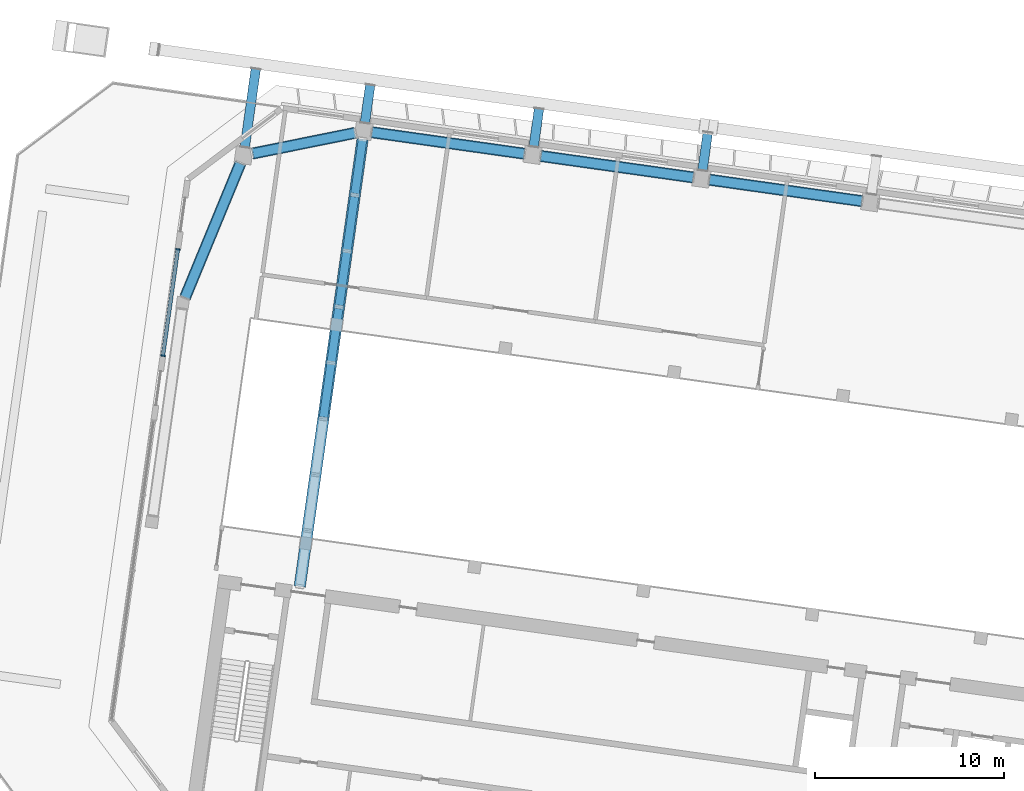
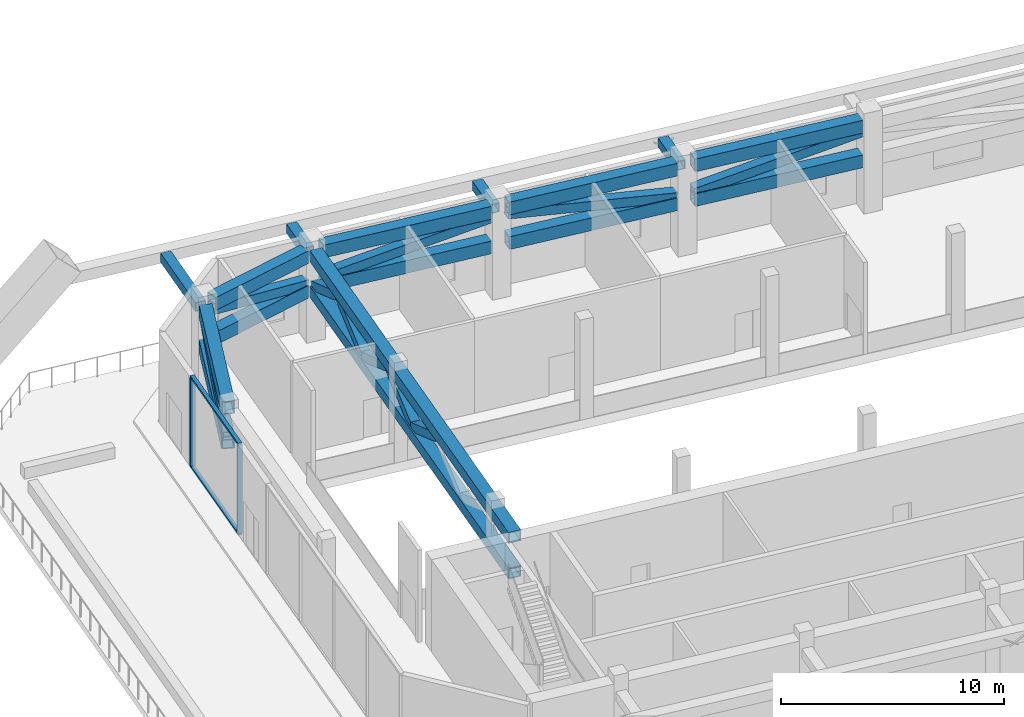
# One storey, part 5 of 41: 30 members, 1 element without a shape of its own.
"""IFC4 building model written with IfcOpenShell, lengths in metres."""

from ifc_helpers import new_model, si_unit, direction, frame, origin, origin_2d, place, context, subcontext, project, spatial, rectangle, hollow_rectangle, extrude, material, material_profile, profile_set, type_object, element, aggregate, save


model = new_model("IFC4")

# Units and contexts
model_context = context("Model", 3, precision=1e-05, world=origin(), true_north=direction((0.0, 1.0)))
body_context = subcontext(model_context, "Body", "Model", "MODEL_VIEW")
ifc_project = project(units=[si_unit("LENGTHUNIT", "METRE"), si_unit("AREAUNIT", "SQUARE_METRE"), si_unit("VOLUMEUNIT", "CUBIC_METRE"), si_unit("PLANEANGLEUNIT", "RADIAN"), si_unit("MASSUNIT", "GRAM", prefix="KILO")], contexts=[model_context])

# Site, building, storey
site_placement = place(None, origin())
site = spatial("IfcSite", under=ifc_project, at=site_placement, CompositionType="ELEMENT")
building_placement = place(site_placement, origin())
building = spatial("IfcBuilding", under=site, at=building_placement, Name="Mirante Cascada Hotel Towers", CompositionType="ELEMENT")
storey_placement = place(building_placement, frame((0.0, 0.0, 151.9)))
storey = spatial("IfcBuildingStorey", under=building, at=storey_placement, Name="L35", CompositionType="ELEMENT", Elevation=151.9)

# Members
ifc_material_1 = material(Name="Steel ASTM A572 Gr 50", Category="steel")
ifc_material_profile_1 = material_profile(ifc_material_1, hollow_rectangle(XDim=0.6, YDim=0.6, WallThickness=0.045, at=origin_2d()), Name="Box chord 600x600x45 ASTM A572 Gr 50")
ifc_profile_set_1 = profile_set([ifc_material_profile_1], Name="Steel ASTM A572 Gr 50")
member_type_1 = type_object("IfcMemberType", Name="Box chord 600x600x45 ASTM A572 Gr 50", PredefinedType="CHORD", material=ifc_profile_set_1)
for number, where, z_axis, x_axis, name in (
    (1, (-84.3137, -0.456, 2.8), (0.1391739, 0.9902679, 0.0), (-0.9902679, 0.1391739, 0.0), "outrigger T1 L35 11"),
    (2, (-84.3137, -0.456, 4.75), (0.1391739, 0.9902679, 0.0), (-0.9902679, 0.1391739, 0.0), "outrigger T1 L35 12"),
):
    element("IfcMember", number, at=place(storey_placement, frame(where, z_axis=z_axis, x_axis=x_axis)), inside=storey, type_object=member_type_1, Name=name, PredefinedType="CHORD", context=body_context, shape_type="SweptSolid", body=[
        extrude(hollow_rectangle(XDim=0.6, YDim=0.6, WallThickness=0.045, at=origin_2d()), origin(), (0.0, 0.0, 1.0), 23.85),
    ])
ifc_material_2 = material(Name="Steel ASTM A572 Gr 50", Category="steel")
ifc_material_profile_2 = material_profile(ifc_material_2, hollow_rectangle(XDim=0.6, YDim=0.7, WallThickness=0.05, at=origin_2d()), Name="Box chord 700x600x50 ASTM A572 Gr 50")
ifc_profile_set_2 = profile_set([ifc_material_profile_2], Name="Steel ASTM A572 Gr 50")
member_type_2 = type_object("IfcMemberType", Name="Box chord 700x600x50 ASTM A572 Gr 50", PredefinedType="CHORD", material=ifc_profile_set_2)
for number, where, z_axis, x_axis, name in (
    (3, (-54.6231, 19.8899, 4.7), (-0.9902676, 0.1391765, 0.0), (-0.1391765, -0.9902676, 0.0), "belt T1 L35 10"),
    (4, (-54.6231, 19.8899, 2.8), (-0.9902676, 0.1391765, 0.0), (-0.1391765, -0.9902676, 0.0), "belt T1 L35 11"),
):
    element("IfcMember", number, at=place(storey_placement, frame(where, z_axis=z_axis, x_axis=x_axis)), inside=storey, type_object=member_type_2, Name=name, PredefinedType="CHORD", context=body_context, shape_type="SweptSolid", body=[
        extrude(hollow_rectangle(XDim=0.6, YDim=0.7, WallThickness=0.05, at=origin_2d()), origin(), (0.0, 0.0, 1.0), 8.14),
    ])
for number, where, z_axis, x_axis, name in (
    (5, (-63.5356, 21.1425, 4.7), (-0.990269, 0.1391662, 0.0), (-0.1391662, -0.990269, 0.0), "belt T1 L35 13"),
    (6, (-63.5356, 21.1425, 2.8), (-0.990269, 0.1391662, 0.0), (-0.1391662, -0.990269, 0.0), "belt T1 L35 14"),
):
    element("IfcMember", number, at=place(storey_placement, frame(where, z_axis=z_axis, x_axis=x_axis)), inside=storey, type_object=member_type_2, Name=name, PredefinedType="CHORD", context=body_context, shape_type="SweptSolid", body=[
        extrude(hollow_rectangle(XDim=0.6, YDim=0.7, WallThickness=0.05, at=origin_2d()), origin(), (0.0, 0.0, 1.0), 8.1399),
    ])
for number, where, z_axis, x_axis, name in (
    (7, (-72.448, 22.395, 4.7), (-0.9902676, 0.1391765, 0.0), (-0.1391765, -0.9902676, 0.0), "belt T1 L35 16"),
    (8, (-72.448, 22.395, 2.8), (-0.9902676, 0.1391765, 0.0), (-0.1391765, -0.9902676, 0.0), "belt T1 L35 17"),
):
    element("IfcMember", number, at=place(storey_placement, frame(where, z_axis=z_axis, x_axis=x_axis)), inside=storey, type_object=member_type_2, Name=name, PredefinedType="CHORD", context=body_context, shape_type="SweptSolid", body=[
        extrude(hollow_rectangle(XDim=0.6, YDim=0.7, WallThickness=0.05, at=origin_2d()), origin(), (0.0, 0.0, 1.0), 8.14),
    ])
for number, where, z_axis, x_axis, name in (
    (9, (-81.3827, 23.4973, 4.7), (-0.9802161, -0.1979303, 0.0), (0.1979303, -0.9802161, 0.0), "belt T1 L35 19"),
    (10, (-81.3827, 23.4973, 2.8), (-0.9802161, -0.1979303, 0.0), (0.1979303, -0.9802161, 0.0), "belt T1 L35 20"),
):
    element("IfcMember", number, at=place(storey_placement, frame(where, z_axis=z_axis, x_axis=x_axis)), inside=storey, type_object=member_type_2, Name=name, PredefinedType="CHORD", context=body_context, shape_type="SweptSolid", body=[
        extrude(hollow_rectangle(XDim=0.6, YDim=0.7, WallThickness=0.05, at=origin_2d()), origin(), (0.0, 0.0, 1.0), 5.5535),
    ])
for number, where, z_axis, x_axis, name in (
    (11, (-87.4439, 21.8966, 4.7), (-0.3811735, -0.9245035, 0.0), (0.9245035, -0.3811735, 0.0), "belt T1 L35 22"),
    (12, (-87.4439, 21.8966, 2.8), (-0.3811735, -0.9245035, 0.0), (0.9245035, -0.3811735, 0.0), "belt T1 L35 23"),
):
    element("IfcMember", number, at=place(storey_placement, frame(where, z_axis=z_axis, x_axis=x_axis)), inside=storey, type_object=member_type_2, Name=name, PredefinedType="CHORD", context=body_context, shape_type="SweptSolid", body=[
        extrude(hollow_rectangle(XDim=0.6, YDim=0.7, WallThickness=0.05, at=origin_2d()), origin(), (0.0, 0.0, 1.0), 7.6802),
    ])
ifc_material_3 = material(Name="Steel ASTM A572 Gr 50", Category="steel")
ifc_material_profile_3 = material_profile(ifc_material_3, hollow_rectangle(XDim=0.45, YDim=0.45, WallThickness=0.03, at=origin_2d()), Name="Box diagonal 450x450x30 ASTM A572 Gr 50")
ifc_profile_set_3 = profile_set([ifc_material_profile_3], Name="Steel ASTM A572 Gr 50")
member_type_3 = type_object("IfcMemberType", Name="Box diagonal 450x450x30 ASTM A572 Gr 50", PredefinedType="BRACE", material=ifc_profile_set_3)
member_1_placement = place(storey_placement, frame((-83.069, 8.4007, 4.45), z_axis=(0.1268052, 0.9020893, -0.4124989), x_axis=(-0.9902643, 0.1391998, 0.0)))
element("IfcMember", 13, at=member_1_placement, inside=storey, type_object=member_type_3, Name="outrigger T1 L35 16", PredefinedType="BRACE", context=body_context, shape_type="SweptSolid", body=[
    extrude(hollow_rectangle(XDim=0.45, YDim=0.45, WallThickness=0.03, at=origin_2d()), origin(), (0.0, 0.0, 1.0), 3.2727),
])
member_2_placement = place(storey_placement, frame((-82.654, 11.353, 3.1), z_axis=(0.1267787, 0.9020871, 0.4125119), x_axis=(-0.9902683, 0.1391716, 0.0)))
element("IfcMember", 14, at=member_2_placement, inside=storey, type_object=member_type_3, Name="outrigger T1 L35 17", PredefinedType="BRACE", context=body_context, shape_type="SweptSolid", body=[
    extrude(hollow_rectangle(XDim=0.45, YDim=0.45, WallThickness=0.03, at=origin_2d()), origin(), (0.0, 0.0, 1.0), 3.2726),
])
member_3_placement = place(storey_placement, frame((-82.2391, 14.3052, 4.45), z_axis=(0.1267752, 0.9020928, -0.4125005), x_axis=(-0.9902689, 0.1391669, 0.0)))
element("IfcMember", 15, at=member_3_placement, inside=storey, type_object=member_type_3, Name="outrigger T1 L35 18", PredefinedType="BRACE", context=body_context, shape_type="SweptSolid", body=[
    extrude(hollow_rectangle(XDim=0.45, YDim=0.45, WallThickness=0.03, at=origin_2d()), origin(), (0.0, 0.0, 1.0), 3.2727),
])
for number, where, z_axis, x_axis, name in (
    (16, (-81.8242, 17.2575, 3.1), (0.1267787, 0.9020871, 0.4125119), (-0.9902683, 0.1391716, 0.0), "outrigger T1 L35 19"),
    (17, (-81.4093, 20.2097, 4.45), (0.1267787, 0.9020871, -0.4125119), (-0.9902683, 0.1391716, 0.0), "outrigger T1 L35 20"),
):
    element("IfcMember", number, at=place(storey_placement, frame(where, z_axis=z_axis, x_axis=x_axis)), inside=storey, type_object=member_type_3, Name=name, PredefinedType="BRACE", context=body_context, shape_type="SweptSolid", body=[
        extrude(hollow_rectangle(XDim=0.45, YDim=0.45, WallThickness=0.03, at=origin_2d()), origin(), (0.0, 0.0, 1.0), 3.2726),
    ])
ifc_material_4 = material(Name="Steel ASTM A572 Gr 50", Category="steel")
ifc_material_profile_4 = material_profile(ifc_material_4, hollow_rectangle(XDim=0.5, YDim=0.5, WallThickness=0.035, at=origin_2d()), Name="Box diagonal 500x500x35 ASTM A572 Gr 50")
ifc_profile_set_4 = profile_set([ifc_material_profile_4], Name="Steel ASTM A572 Gr 50")
member_type_4 = type_object("IfcMemberType", Name="Box diagonal 500x500x35 ASTM A572 Gr 50", PredefinedType="BRACE", material=ifc_profile_set_4)
member_4_placement = place(storey_placement, frame((-54.6231, 19.8899, 4.35), z_axis=(-0.9796793, 0.1376884, -0.1458435), x_axis=(-0.1391765, -0.9902676, 0.0)))
element("IfcMember", 18, at=member_4_placement, inside=storey, type_object=member_type_4, Name="belt T1 L35 12", PredefinedType="BRACE", context=body_context, shape_type="SweptSolid", body=[
    extrude(hollow_rectangle(XDim=0.5, YDim=0.5, WallThickness=0.035, at=origin_2d()), origin(), (0.0, 0.0, 1.0), 8.228),
])
member_5_placement = place(storey_placement, frame((-63.5356, 21.1425, 3.15), z_axis=(-0.9796805, 0.1376781, 0.1458455), x_axis=(-0.1391662, -0.990269, 0.0)))
element("IfcMember", 19, at=member_5_placement, inside=storey, type_object=member_type_4, Name="belt T1 L35 15", PredefinedType="BRACE", context=body_context, shape_type="SweptSolid", body=[
    extrude(hollow_rectangle(XDim=0.5, YDim=0.5, WallThickness=0.035, at=origin_2d()), origin(), (0.0, 0.0, 1.0), 8.2279),
])
member_6_placement = place(storey_placement, frame((-72.448, 22.395, 4.35), z_axis=(-0.9796793, 0.1376884, -0.1458435), x_axis=(-0.1391765, -0.9902676, 0.0)))
element("IfcMember", 20, at=member_6_placement, inside=storey, type_object=member_type_4, Name="belt T1 L35 18", PredefinedType="BRACE", context=body_context, shape_type="SweptSolid", body=[
    extrude(hollow_rectangle(XDim=0.5, YDim=0.5, WallThickness=0.035, at=origin_2d()), origin(), (0.0, 0.0, 1.0), 8.228),
])
member_7_placement = place(storey_placement, frame((-81.3827, 23.4973, 3.15), z_axis=(-0.9581038, -0.1934653, 0.2112067), x_axis=(0.1979303, -0.9802161, 0.0)))
element("IfcMember", 21, at=member_7_placement, inside=storey, type_object=member_type_4, Name="belt T1 L35 21", PredefinedType="BRACE", context=body_context, shape_type="SweptSolid", body=[
    extrude(hollow_rectangle(XDim=0.5, YDim=0.5, WallThickness=0.035, at=origin_2d()), origin(), (0.0, 0.0, 1.0), 5.6816),
])
member_8_placement = place(storey_placement, frame((-87.4439, 21.8966, 4.35), z_axis=(-0.3766042, -0.9134213, -0.1543724), x_axis=(0.9245035, -0.3811735, 0.0)))
element("IfcMember", 22, at=member_8_placement, inside=storey, type_object=member_type_4, Name="belt T1 L35 24", PredefinedType="BRACE", context=body_context, shape_type="SweptSolid", body=[
    extrude(hollow_rectangle(XDim=0.5, YDim=0.5, WallThickness=0.035, at=origin_2d()), origin(), (0.0, 0.0, 1.0), 7.7734),
])
ifc_material_5 = material(Name="Steel ASTM A572 Gr 50", Category="steel")
ifc_material_profile_5 = material_profile(ifc_material_5, hollow_rectangle(XDim=0.5, YDim=0.5, WallThickness=0.035, at=origin_2d()), Name="Box tie 500x500x35 ASTM A572 Gr 50")
ifc_profile_set_5 = profile_set([ifc_material_profile_5], Name="Steel ASTM A572 Gr 50")
member_type_5 = type_object("IfcMemberType", Name="Box tie 500x500x35 ASTM A572 Gr 50", PredefinedType="STRUT", material=ifc_profile_set_5)
member_9_placement = place(storey_placement, frame((-63.0499, 21.5084, 4.35), z_axis=(0.1391632, 0.9902695, 0.0), x_axis=(-0.9902695, 0.1391632, 0.0)))
element("IfcMember", 23, at=member_9_placement, inside=storey, type_object=member_type_5, Name="tie T1 L35 7", PredefinedType="STRUT", context=body_context, shape_type="SweptSolid", body=[
    extrude(hollow_rectangle(XDim=0.5, YDim=0.5, WallThickness=0.035, at=origin_2d()), origin(), (0.0, 0.0, 1.0), 2.0401),
])
for number, where, z_axis, x_axis, name in (
    (24, (-71.9623, 22.761, 4.35), (0.13917, 0.9902685, 0.0), (-0.9902685, 0.13917, 0.0), "tie T1 L35 9"),
    (25, (-80.8747, 24.0136, 4.35), (0.13917, 0.9902685, 0.0), (-0.9902685, 0.13917, 0.0), "tie T1 L35 11"),
):
    element("IfcMember", number, at=place(storey_placement, frame(where, z_axis=z_axis, x_axis=x_axis)), inside=storey, type_object=member_type_5, Name=name, PredefinedType="STRUT", context=body_context, shape_type="SweptSolid", body=[
        extrude(hollow_rectangle(XDim=0.5, YDim=0.5, WallThickness=0.035, at=origin_2d()), origin(), (0.0, 0.0, 1.0), 2.04),
    ])
member_10_placement = place(storey_placement, frame((-87.2146, 22.7334, 4.35), z_axis=(0.1391857, 0.9902663, 0.0), x_axis=(-0.9902663, 0.1391857, 0.0)))
element("IfcMember", 26, at=member_10_placement, inside=storey, type_object=member_type_5, Name="tie T1 L35 13", PredefinedType="STRUT", context=body_context, shape_type="SweptSolid", body=[
    extrude(hollow_rectangle(XDim=0.5, YDim=0.5, WallThickness=0.035, at=origin_2d()), origin(), (0.0, 0.0, 1.0), 4.1901),
])

# Curtain wall, members
ifc_material_6 = material(Name="Aluminium mullion and transom frame with clear laminated glass", Category="aluminium")
curtain_wall_type = type_object("IfcCurtainWallType", Name="Sky garden curtain wall ECW4", PredefinedType="NOTDEFINED", material=ifc_material_6)
curtain_wall_placement = place(storey_placement, origin())
curtain_wall = element("IfcCurtainWall", 27, at=curtain_wall_placement, inside=storey, type_object=curtain_wall_type, Name="Sky garden wall T1 L35 run 3", PredefinedType="NOTDEFINED")
ifc_material_7 = material(Name="Anodised aluminium extrusion", Category="aluminium")
ifc_material_profile_6 = material_profile(ifc_material_7, rectangle(XDim=0.24, YDim=0.075, at=origin_2d()), Name="ECW4 MULLION 75x240")
ifc_profile_set_6 = profile_set([ifc_material_profile_6], Name="Anodised aluminium extrusion")
member_type_6 = type_object("IfcMemberType", Name="ECW4 mullion 75x240", PredefinedType="MULLION", material=ifc_profile_set_6)
member_11_placement = place(storey_placement, frame((-91.5373, 11.7355, 0.11), z_axis=(0.0, 0.0, 1.0), x_axis=(-0.9902681, 0.1391731, 0.0)))
member_11 = element("IfcMember", 28, at=member_11_placement, type_object=member_type_6, Name="ECW4 mullion 1", PredefinedType="MULLION", context=body_context, shape_type="SweptSolid", body=[
    extrude(rectangle(XDim=0.24, YDim=0.075, at=origin_2d()), origin(), (0.0, 0.0, 1.0), 4.83),
])
member_12_placement = place(storey_placement, frame((-90.7491, 17.3433, 0.11), z_axis=(0.0, 0.0, 1.0), x_axis=(-0.9902681, 0.1391731, 0.0)))
member_12 = element("IfcMember", 29, at=member_12_placement, type_object=member_type_6, Name="ECW4 mullion 2", PredefinedType="MULLION", context=body_context, shape_type="SweptSolid", body=[
    extrude(rectangle(XDim=0.24, YDim=0.075, at=origin_2d()), origin(), (0.0, 0.0, 1.0), 4.83),
])
ifc_material_8 = material(Name="Anodised aluminium extrusion", Category="aluminium")
ifc_material_profile_7 = material_profile(ifc_material_8, rectangle(XDim=0.2, YDim=0.11, at=origin_2d()), Name="ECW4 TRANSOM 110x200")
ifc_profile_set_7 = profile_set([ifc_material_profile_7], Name="Anodised aluminium extrusion")
member_type_7 = type_object("IfcMemberType", Name="ECW4 transom 110x200", PredefinedType="USERDEFINED", material=ifc_profile_set_7)
member_13_placement = place(storey_placement, frame((-91.5425, 11.6984, 0.055), z_axis=(0.1391811, 0.9902669, 0.0), x_axis=(-0.9902669, 0.1391811, 0.0)))
member_13 = element("IfcMember", 30, at=member_13_placement, type_object=member_type_7, Name="ECW4 sill transom", ObjectType="TRANSOM", PredefinedType="USERDEFINED", context=body_context, shape_type="SweptSolid", body=[
    extrude(rectangle(XDim=0.2, YDim=0.11, at=origin_2d()), origin(), (0.0, 0.0, 1.0), 5.7378),
])
member_14_placement = place(storey_placement, frame((-91.5425, 11.6984, 4.995), z_axis=(0.1391811, 0.9902669, 0.0), x_axis=(-0.9902669, 0.1391811, 0.0)))
member_14 = element("IfcMember", 31, at=member_14_placement, type_object=member_type_7, Name="ECW4 head transom", ObjectType="TRANSOM", PredefinedType="USERDEFINED", context=body_context, shape_type="SweptSolid", body=[
    extrude(rectangle(XDim=0.2, YDim=0.11, at=origin_2d()), origin(), (0.0, 0.0, 1.0), 5.7378),
])
aggregate(curtain_wall, [member_13, member_14, member_11, member_12])

save(model, "model.ifc")
